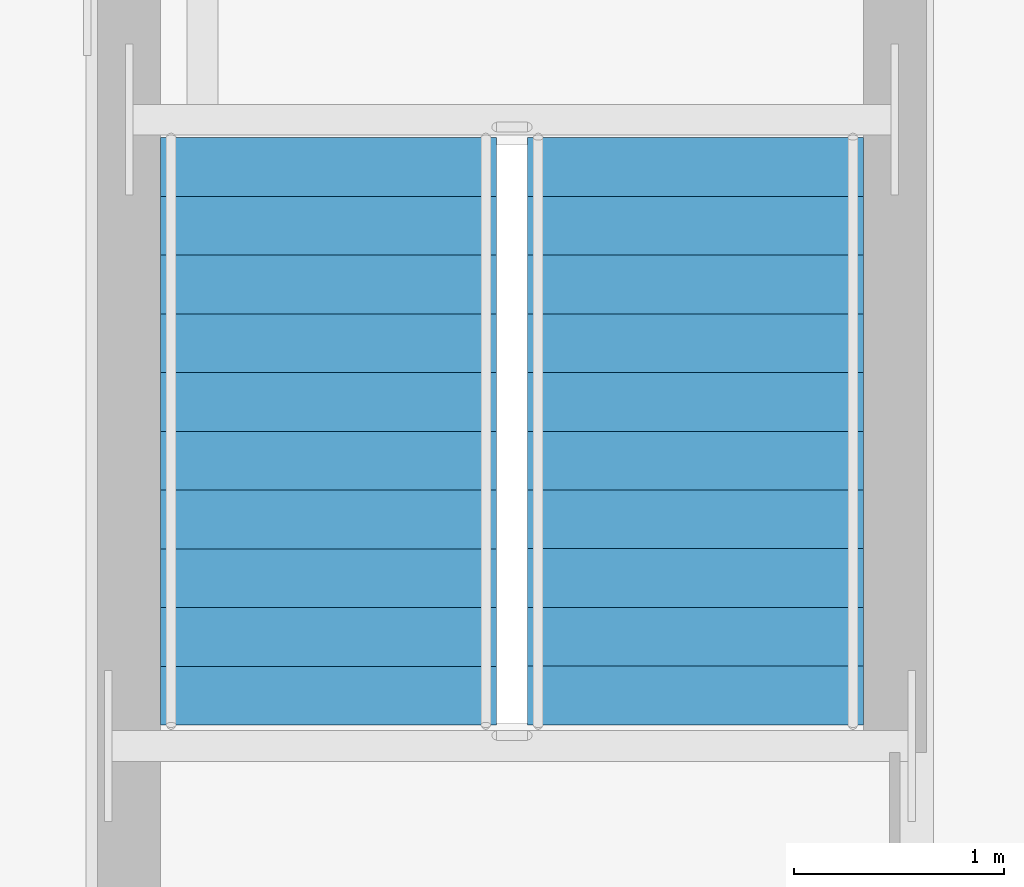
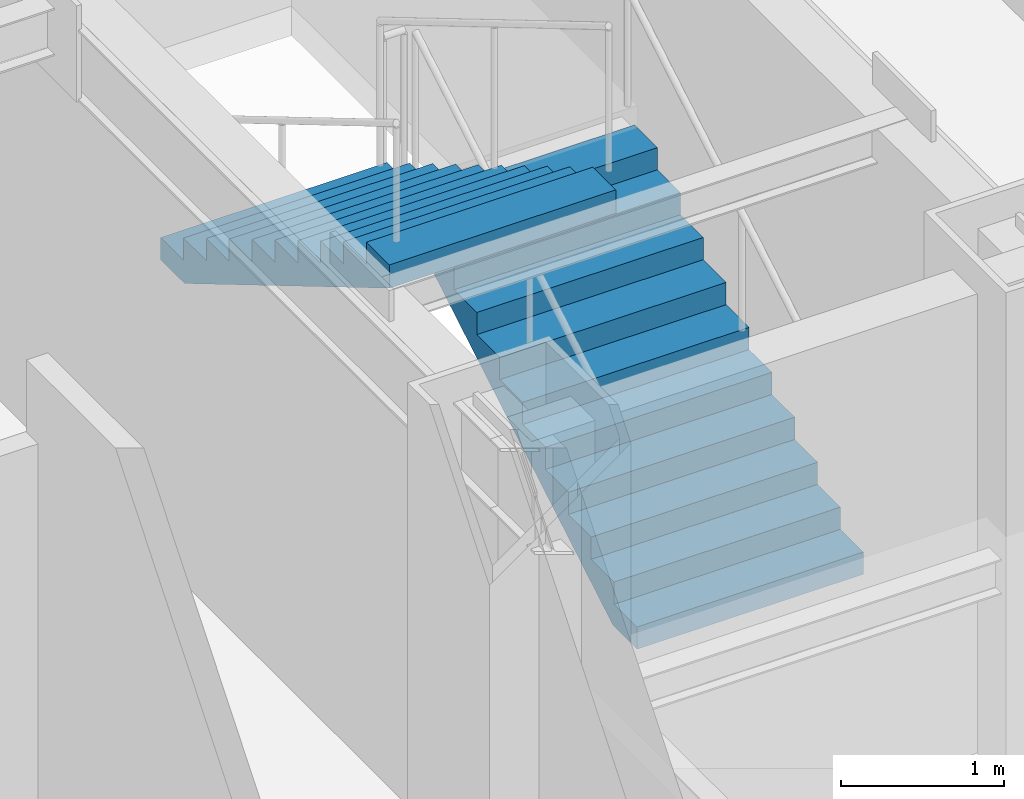
# One storey, part 9 of 11: 2 stair flights, 1 element without a shape of its own.
"""IFC4 building model written with IfcOpenShell, lengths in metres."""

from ifc_helpers import new_model, si_unit, direction, frame, origin, place, context, subcontext, project, spatial, polyline, outline, extrude, material, type_object, element, aggregate, save


model = new_model("IFC4")

# Units and contexts
model_context = context("Model", 3, precision=1e-05, world=origin(), true_north=direction((0.0, 1.0)))
body_context = subcontext(model_context, "Body", "Model", "MODEL_VIEW")
ifc_project = project(units=[si_unit("LENGTHUNIT", "METRE"), si_unit("AREAUNIT", "SQUARE_METRE"), si_unit("VOLUMEUNIT", "CUBIC_METRE"), si_unit("PLANEANGLEUNIT", "RADIAN"), si_unit("MASSUNIT", "GRAM", prefix="KILO")], contexts=[model_context])

# Site, building, storey
site_placement = place(None, origin())
site = spatial("IfcSite", under=ifc_project, at=site_placement, CompositionType="ELEMENT")
building_placement = place(site_placement, origin())
building = spatial("IfcBuilding", under=site, at=building_placement, Name="Khamvora Tower", CompositionType="ELEMENT")
storey_placement = place(building_placement, frame((0.0, 0.0, 239.10009765625)))
storey = spatial("IfcBuildingStorey", under=building, at=storey_placement, Name="L61", CompositionType="ELEMENT", Elevation=239.10009765625)

# Stair, stair flights
ifc_material = material(Name="Concrete C40/50", Category="concrete")
stair_type = type_object("IfcStairType", Name="STR-ST-02", PredefinedType="HALF_TURN_STAIR", material=ifc_material)
stair_placement = place(storey_placement, origin())
stair = element("IfcStair", 1, at=stair_placement, inside=storey, type_object=stair_type, Name="L61 North Tower Exit Stair ST-02", PredefinedType="HALF_TURN_STAIR")
stair_flight_type = type_object("IfcStairFlightType", Name="STF-ST-02", PredefinedType="STRAIGHT", material=ifc_material)
stair_flight_1_placement = place(storey_placement, frame((31.699951171875, 29.85009765625, 0.0), z_axis=(0.0, 0.0, 1.0), x_axis=(0.0, 1.0, 0.0)))
stair_flight_1 = element("IfcStairFlight", 2, at=stair_flight_1_placement, type_object=stair_flight_type, Name="ST-02 flight 1", NumberOfRisers=11, NumberOfTreads=10, PredefinedType="STRAIGHT", RiserHeight=0.165909091, TreadLength=0.28, context=body_context, shape_type="SweptSolid", body=[
    extrude(outline(polyline([(0.0, 0.0), (0.0, 0.166015625), (0.280029296875, 0.166015625), (0.280029296875, 0.331787109375), (0.56005859375, 0.331787109375), (0.56005859375, 0.497802734375), (0.840087890625, 0.497802734375), (0.840087890625, 0.66357421875), (1.1201171875, 0.66357421875), (1.1201171875, 0.82958984375), (1.39990234375, 0.82958984375), (1.39990234375, 0.995361328125), (1.679931640625, 0.995361328125), (1.679931640625, 1.161376953125), (1.9599609375, 1.161376953125), (1.9599609375, 1.327392578125), (2.239990234375, 1.327392578125), (2.239990234375, 1.4931640625), (2.52001953125, 1.4931640625), (2.52001953125, 1.6591796875), (2.800048828125, 1.6591796875), (2.800048828125, 1.824951171875), (2.800048828125, 1.48486328125), (0.2939453125, 0.0), (0.0, 0.0)])), frame((0.0, 0.800048828125, 0.0), z_axis=(0.0, -1.0, 0.0), x_axis=(1.0, 0.0, 0.0)), (0.0, 0.0, 1.0), 1.60009765625),
])
stair_flight_2_placement = place(storey_placement, frame((29.949951171875, 32.64990234375, 1.824951171875), z_axis=(0.0, 0.0, 1.0), x_axis=(0.0, -1.0, 0.0)))
stair_flight_2 = element("IfcStairFlight", 3, at=stair_flight_2_placement, type_object=stair_flight_type, Name="ST-02 flight 2", NumberOfRisers=11, NumberOfTreads=10, PredefinedType="STRAIGHT", RiserHeight=0.165909091, TreadLength=0.28, context=body_context, shape_type="SweptSolid", body=[
    extrude(outline(polyline([(0.0, 0.0), (0.0, 0.166015625), (0.280029296875, 0.166015625), (0.280029296875, 0.331787109375), (0.56005859375, 0.331787109375), (0.56005859375, 0.497802734375), (0.840087890625, 0.497802734375), (0.840087890625, 0.66357421875), (1.1201171875, 0.66357421875), (1.1201171875, 0.82958984375), (1.39990234375, 0.82958984375), (1.39990234375, 0.995361328125), (1.679931640625, 0.995361328125), (1.679931640625, 1.161376953125), (1.9599609375, 1.161376953125), (1.9599609375, 1.327392578125), (2.239990234375, 1.327392578125), (2.239990234375, 1.4931640625), (2.52001953125, 1.4931640625), (2.52001953125, 1.6591796875), (2.800048828125, 1.6591796875), (2.800048828125, 1.824951171875), (2.800048828125, 1.48486328125), (0.2939453125, 0.0), (0.0, 0.0)])), frame((0.0, 0.800048828125, 0.0), z_axis=(0.0, -1.0, 0.0), x_axis=(1.0, 0.0, 0.0)), (0.0, 0.0, 1.0), 1.60009765625),
])
aggregate(stair, [stair_flight_1, stair_flight_2])

save(model, "model.ifc")
